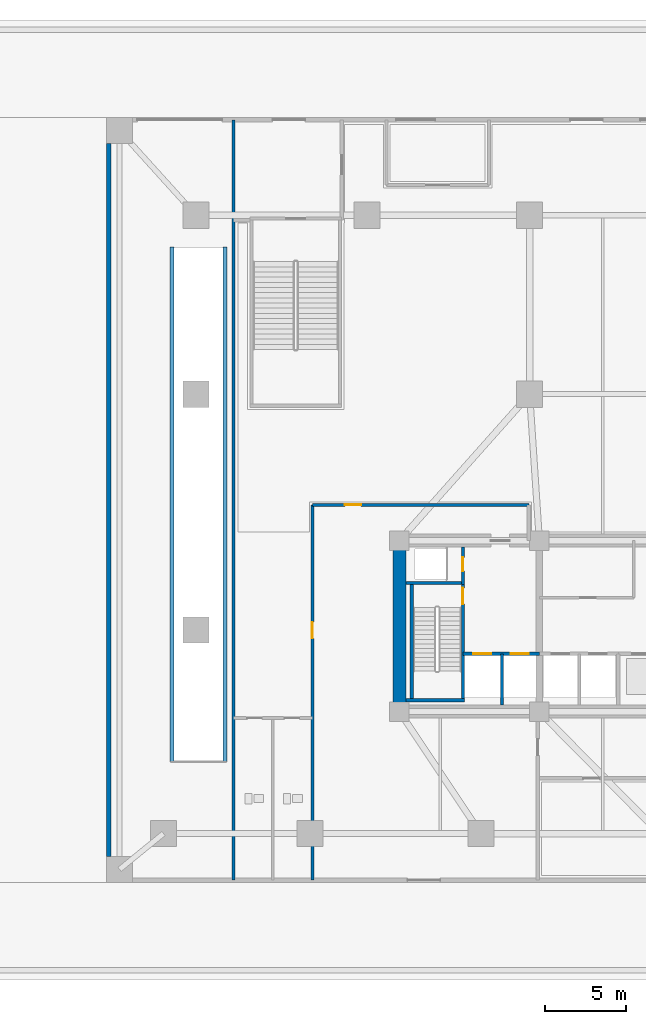
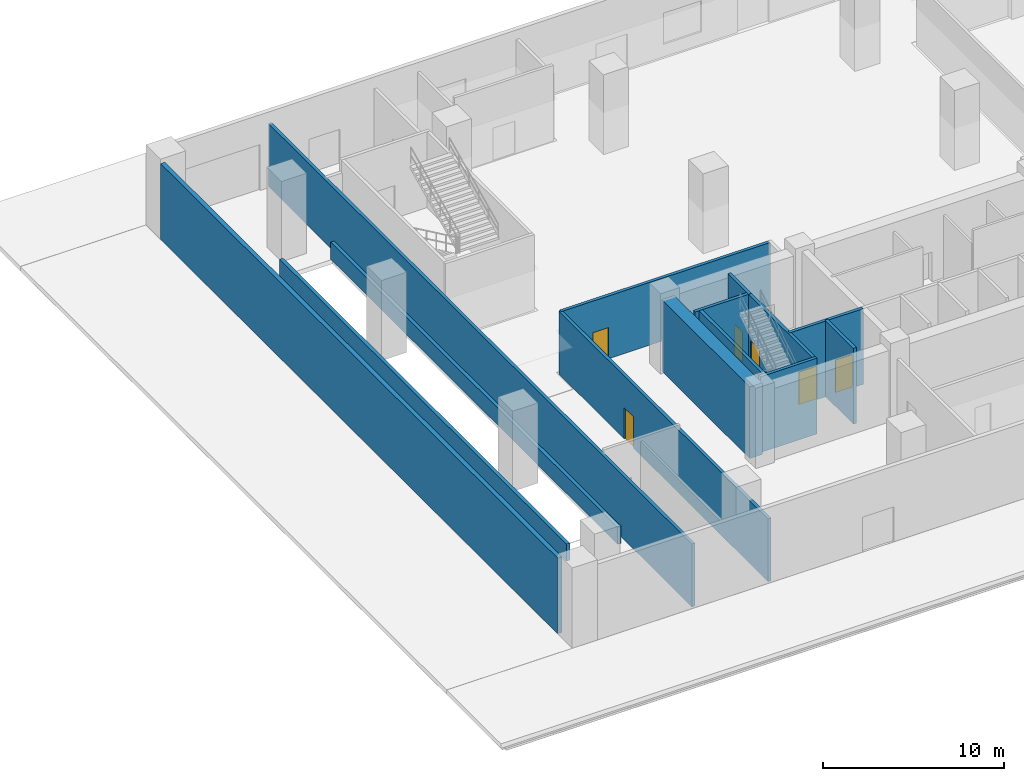
# One storey, part 4 of 15: 14 walls, 6 doors, 6 openings.
"""IFC4 building model written with IfcOpenShell, lengths in metres."""

from ifc_helpers import new_model, si_unit, direction, frame, frame_2d, origin, place, context, subcontext, project, spatial, rectangle, extrude, material, layer, layer_set, type_object, element, fill, save


model = new_model("IFC4")

# Units and contexts
model_context = context("Model", 3, precision=1e-05, world=origin(), true_north=direction((0.0, 1.0)))
body_context = subcontext(model_context, "Body", "Model", "MODEL_VIEW")
ifc_project = project(units=[si_unit("LENGTHUNIT", "METRE"), si_unit("AREAUNIT", "SQUARE_METRE"), si_unit("VOLUMEUNIT", "CUBIC_METRE"), si_unit("PLANEANGLEUNIT", "RADIAN"), si_unit("MASSUNIT", "GRAM", prefix="KILO")], contexts=[model_context])

# Site, building, storey
site_placement = place(None, origin())
site = spatial("IfcSite", under=ifc_project, at=site_placement, CompositionType="ELEMENT")
building_placement = place(site_placement, origin())
building = spatial("IfcBuilding", under=site, at=building_placement, Name="Solmavex Isthmus Hotel", CompositionType="ELEMENT")
storey_placement = place(building_placement, origin())
storey = spatial("IfcBuildingStorey", under=building, at=storey_placement, Name="L01", CompositionType="ELEMENT", Elevation=0.0)

# Walls
ifc_material_1 = material(Name="Precast Concrete C40/50", Category="concrete")
ifc_layer_1 = layer(ifc_material_1, 0.219970703125)
ifc_layer_set_1 = layer_set([ifc_layer_1], Name="Precast Concrete C40/50")
wall_type_1 = type_object("IfcWallType", Name="EW-PAR-220", PredefinedType="PARAPET", material=ifc_layer_set_1)
for number, where, z_axis, x_axis, name in (
    (1, (-29.97998046875, -16.10009765625, 0.0), (0.0, 0.0, 1.0), (0.0, 1.0, 0.0), "Vehicular Ramp Well West Parapet Wall L01"),
    (2, (-26.719970703125, -16.10009765625, 0.0), (0.0, 0.0, 1.0), (0.0, 1.0, 0.0), "Vehicular Ramp Well East Parapet Wall L01"),
):
    element("IfcWall", number, at=place(storey_placement, frame(where, z_axis=z_axis, x_axis=x_axis)), inside=storey, type_object=wall_type_1, Name=name, PredefinedType="PARAPET", context=body_context, shape_type="SweptSolid", body=[
        extrude(rectangle(XDim=31.650146484375, YDim=0.219970703125, at=frame_2d((15.8251953125, 0.0))), origin(), (0.0, 0.0, 1.0), 1.14990234375),
    ])
ifc_layer_2 = layer(ifc_material_1, 0.280029296875)
ifc_layer_set_2 = layer_set([ifc_layer_2], Name="Precast Concrete C40/50")
wall_type_2 = type_object("IfcWallType", Name="EW-POD-280", PredefinedType="STANDARD", material=ifc_layer_set_2)
wall_1_placement = place(storey_placement, frame((-33.860107421875, -21.89990234375, 0.0), z_axis=(0.0, 0.0, 1.0), x_axis=(0.0, 1.0, 0.0)))
element("IfcWall", 3, at=wall_1_placement, inside=storey, type_object=wall_type_2, Name="Podium Ground West Exterior Wall", PredefinedType="STANDARD", context=body_context, shape_type="SweptSolid", body=[
    extrude(rectangle(XDim=43.7998046875, YDim=0.280029296875, at=frame_2d((21.89990234375, 0.0))), origin(), (0.0, 0.0, 1.0), 5.10009765625),
])

# Wall, opening, door
ifc_material_2 = material(Name="Concrete C40/50", Category="concrete")
ifc_layer_3 = layer(ifc_material_2, 0.199951171875)
ifc_layer_set_3 = layer_set([ifc_layer_3], Name="Concrete C40/50")
wall_type_3 = type_object("IfcWallType", Name="IW-SHAFT-200", PredefinedType="PARTITIONING", material=ifc_layer_set_3)
wall_2_placement = place(storey_placement, frame((-12.10009765625, -5.199951171875, 0.0), z_axis=(0.0, 0.0, 1.0), x_axis=(0.0, 1.0, 0.0)))
wall_2 = element("IfcWall", 4, at=wall_2_placement, inside=storey, type_object=wall_type_3, Name="Interior Partition Wall W-L01-RSW-E", PredefinedType="PARTITIONING", context=body_context, shape_type="SweptSolid", body=[
    extrude(rectangle(XDim=2.300048828125, YDim=0.199951171875, at=frame_2d((1.14990234375, 0.0))), origin(), (0.0, 0.0, 1.0), 5.10009765625),
])
opening_1_placement = place(wall_2_placement, frame((0.824951171875, 0.0, 0.0)))
opening_1 = element("IfcOpeningElement", 5, at=opening_1_placement, cuts=wall_2, Name="Opening ID-R085", PredefinedType="OPENING", context=body_context, shape_type="SweptSolid", body=[
    extrude(rectangle(XDim=0.85009765625, YDim=2.050048828125, at=frame_2d((0.425048828125, 1.02490234375))), frame((0.0, 0.10986328125, 0.0), z_axis=(0.0, -1.0, 0.0), x_axis=(1.0, 0.0, 0.0)), (0.0, 0.0, 1.0), 0.219970703125),
])
ifc_material_3 = material(Name="Steel ASTM A500 Grade C", Category="steel")
door_type_1 = type_object("IfcDoorType", Name="IDR-FD60-0850", OperationType="NOTDEFINED", PredefinedType="DOOR", material=ifc_material_3)
door_1_placement = place(opening_1_placement, origin())
door_1 = element("IfcDoor", 6, at=door_1_placement, inside=storey, type_object=door_type_1, Name="Electrical Riser Door L01", OperationType="SINGLE_SWING_RIGHT", OverallHeight=2.050048828125, OverallWidth=0.85009765625, PredefinedType="DOOR", context=body_context, shape_type="SweptSolid", body=[
    extrude(rectangle(XDim=0.85009765625, YDim=2.050048828125, at=frame_2d((0.425048828125, 1.02490234375))), frame((0.0, 0.02490234375, 0.0), z_axis=(0.0, -1.0, 0.0), x_axis=(1.0, 0.0, 0.0)), (0.0, 0.0, 1.0), 0.050048828125),
])
fill(opening_1, door_1)

# Wall, openings, doors
wall_3_placement = place(storey_placement, frame((-12.10009765625, -9.449951171875, 0.0), z_axis=(0.0, 0.0, 1.0), x_axis=(1.0, 0.0, 0.0)))
wall_3 = element("IfcWall", 7, at=wall_3_placement, inside=storey, type_object=wall_type_3, Name="Interior Partition Wall W-L01-FFLW-S", PredefinedType="PARTITIONING", context=body_context, shape_type="SweptSolid", body=[
    extrude(rectangle(XDim=4.7001953125, YDim=0.199951171875, at=frame_2d((2.35009765625, 0.0))), origin(), (0.0, 0.0, 1.0), 5.10009765625),
])
opening_2_placement = place(wall_3_placement, frame((0.64990234375, 0.0, 0.0)))
opening_2 = element("IfcOpeningElement", 8, at=opening_2_placement, cuts=wall_3, Name="Opening LD-FF", PredefinedType="OPENING", context=body_context, shape_type="SweptSolid", body=[
    extrude(rectangle(XDim=1.10009765625, YDim=2.199951171875, at=frame_2d((0.550048828125, 1.10009765625))), frame((0.0, 0.10986328125, 0.0), z_axis=(0.0, -1.0, 0.0), x_axis=(1.0, 0.0, 0.0)), (0.0, 0.0, 1.0), 0.219970703125),
])
opening_3_placement = place(wall_3_placement, frame((2.949951171875, 0.0, 0.0)))
opening_3 = element("IfcOpeningElement", 9, at=opening_3_placement, cuts=wall_3, Name="Opening LD-SV", PredefinedType="OPENING", context=body_context, shape_type="SweptSolid", body=[
    extrude(rectangle(XDim=1.10009765625, YDim=2.199951171875, at=frame_2d((0.550048828125, 1.10009765625))), frame((0.0, 0.10986328125, 0.0), z_axis=(0.0, -1.0, 0.0), x_axis=(1.0, 0.0, 0.0)), (0.0, 0.0, 1.0), 0.219970703125),
])
ifc_material_4 = material(Name="Stainless steel 316", Category="steel")
door_type_2 = type_object("IfcDoorType", Name="LDR-FF-1100", OperationType="NOTDEFINED", PredefinedType="DOOR", material=ifc_material_4)
door_2_placement = place(opening_2_placement, origin())
door_2 = element("IfcDoor", 10, at=door_2_placement, inside=storey, type_object=door_type_2, Name="Lift Landing Door FFL-1 L01", OperationType="SLIDING_TO_LEFT", OverallHeight=2.199951171875, OverallWidth=1.10009765625, PredefinedType="DOOR", context=body_context, shape_type="SweptSolid", body=[
    extrude(rectangle(XDim=1.10009765625, YDim=2.199951171875, at=frame_2d((0.550048828125, 1.10009765625))), frame((0.0, 0.02490234375, 0.0), z_axis=(0.0, -1.0, 0.0), x_axis=(1.0, 0.0, 0.0)), (0.0, 0.0, 1.0), 0.050048828125),
])
fill(opening_2, door_2)
door_type_3 = type_object("IfcDoorType", Name="LDR-SV-1100", OperationType="NOTDEFINED", PredefinedType="DOOR", material=ifc_material_4)
door_3_placement = place(opening_3_placement, origin())
door_3 = element("IfcDoor", 11, at=door_3_placement, inside=storey, type_object=door_type_3, Name="Lift Landing Door SVL-1 L01", OperationType="SLIDING_TO_RIGHT", OverallHeight=2.199951171875, OverallWidth=1.10009765625, PredefinedType="DOOR", context=body_context, shape_type="SweptSolid", body=[
    extrude(rectangle(XDim=1.10009765625, YDim=2.199951171875, at=frame_2d((0.550048828125, 1.10009765625))), frame((0.0, 0.02490234375, 0.0), z_axis=(0.0, -1.0, 0.0), x_axis=(1.0, 0.0, 0.0)), (0.0, 0.0, 1.0), 0.050048828125),
])
fill(opening_3, door_3)

# Wall
wall_4_placement = place(storey_placement, frame((-9.699951171875, -12.60009765625, 0.0), z_axis=(0.0, 0.0, 1.0), x_axis=(0.0, 1.0, 0.0)))
element("IfcWall", 12, at=wall_4_placement, inside=storey, type_object=wall_type_3, Name="Interior Partition Wall W-L01-FFLW-M", PredefinedType="PARTITIONING", context=body_context, shape_type="SweptSolid", body=[
    extrude(rectangle(XDim=3.150146484375, YDim=0.199951171875, at=frame_2d((1.5751953125, 0.0))), origin(), (0.0, 0.0, 1.0), 5.10009765625),
])

# Wall, opening, door
wall_5_placement = place(storey_placement, frame((-21.35009765625, -23.360107421875, 0.0), z_axis=(0.0, 0.0, 1.0), x_axis=(0.0, 1.0, 0.0)))
wall_5 = element("IfcWall", 13, at=wall_5_placement, inside=storey, type_object=wall_type_3, Name="Interior Partition Wall W-L01-EXPW-W", PredefinedType="PARTITIONING", context=body_context, shape_type="SweptSolid", body=[
    extrude(rectangle(XDim=23.06005859375, YDim=0.199951171875, at=frame_2d((11.530029296875, 0.0))), origin(), (0.0, 0.0, 1.0), 4.2294921875),
])
opening_4_placement = place(wall_5_placement, frame((14.860107421875, 0.0, 0.0)))
opening_4 = element("IfcOpeningElement", 14, at=opening_4_placement, cuts=wall_5, Name="Opening ID-F100", PredefinedType="OPENING", context=body_context, shape_type="SweptSolid", body=[
    extrude(rectangle(XDim=1.0, YDim=2.10009765625, at=frame_2d((0.5, 1.050048828125))), frame((0.0, 0.10986328125, 0.0), z_axis=(0.0, -1.0, 0.0), x_axis=(1.0, 0.0, 0.0)), (0.0, 0.0, 1.0), 0.219970703125),
])
door_type_4 = type_object("IfcDoorType", Name="IDR-FD90-1000", OperationType="NOTDEFINED", PredefinedType="DOOR", material=ifc_material_3)
door_4_placement = place(opening_4_placement, origin())
door_4 = element("IfcDoor", 15, at=door_4_placement, inside=storey, type_object=door_type_4, Name="West Service Corridor Exit Door", OperationType="SINGLE_SWING_RIGHT", OverallHeight=2.10009765625, OverallWidth=1.0, PredefinedType="DOOR", context=body_context, shape_type="SweptSolid", body=[
    extrude(rectangle(XDim=1.0, YDim=2.10009765625, at=frame_2d((0.5, 1.050048828125))), frame((0.0, 0.02490234375, 0.0), z_axis=(0.0, -1.0, 0.0), x_axis=(1.0, 0.0, 0.0)), (0.0, 0.0, 1.0), 0.050048828125),
])
fill(opening_4, door_4)

wall_6_placement = place(storey_placement, frame((-21.35009765625, -0.300048828125, 0.0), z_axis=(0.0, 0.0, 1.0), x_axis=(1.0, 0.0, 0.0)))
wall_6 = element("IfcWall", 16, at=wall_6_placement, inside=storey, type_object=wall_type_3, Name="Interior Partition Wall W-L01-EXPW-N", PredefinedType="PARTITIONING", context=body_context, shape_type="SweptSolid", body=[
    extrude(rectangle(XDim=13.300048828125, YDim=0.199951171875, at=frame_2d((6.64990234375, 0.0))), origin(), (0.0, 0.0, 1.0), 4.2294921875),
])
opening_5_placement = place(wall_6_placement, frame((2.0, 0.0, 0.0)))
opening_5 = element("IfcOpeningElement", 17, at=opening_5_placement, cuts=wall_6, Name="Opening ID-F100", PredefinedType="OPENING", context=body_context, shape_type="SweptSolid", body=[
    extrude(rectangle(XDim=1.0, YDim=2.10009765625, at=frame_2d((0.5, 1.050048828125))), frame((0.0, 0.10986328125, 0.0), z_axis=(0.0, -1.0, 0.0), x_axis=(1.0, 0.0, 0.0)), (0.0, 0.0, 1.0), 0.219970703125),
])
door_5_placement = place(opening_5_placement, frame((1.0, 0.0, 0.0), z_axis=(0.0, 0.0, 1.0), x_axis=(-1.0, 0.0, 0.0)))
door_5 = element("IfcDoor", 18, at=door_5_placement, inside=storey, type_object=door_type_4, Name="West Exit Passageway Atrium Door L01", OperationType="SINGLE_SWING_LEFT", OverallHeight=2.10009765625, OverallWidth=1.0, PredefinedType="DOOR", context=body_context, shape_type="SweptSolid", body=[
    extrude(rectangle(XDim=1.0, YDim=2.10009765625, at=frame_2d((0.5, 1.050048828125))), frame((0.0, 0.02490234375, 0.0), z_axis=(0.0, -1.0, 0.0), x_axis=(1.0, 0.0, 0.0)), (0.0, 0.0, 1.0), 0.050048828125),
])
fill(opening_5, door_5)

# Walls
wall_7_placement = place(storey_placement, frame((-26.199951171875, -23.360107421875, 0.0), z_axis=(0.0, 0.0, 1.0), x_axis=(0.0, 1.0, 0.0)))
element("IfcWall", 19, at=wall_7_placement, inside=storey, type_object=wall_type_3, Name="Interior Partition Wall W-L01-WEST", PredefinedType="PARTITIONING", context=body_context, shape_type="SweptSolid", body=[
    extrude(rectangle(XDim=46.72021484375, YDim=0.199951171875, at=frame_2d((23.360107421875, 0.0))), origin(), (0.0, 0.0, 1.0), 4.2294921875),
])
ifc_material_5 = material(Name="Concrete C70/85", Category="concrete")
ifc_layer_4 = layer(ifc_material_5, 0.800048828125)
ifc_layer_set_4 = layer_set([ifc_layer_4], Name="Concrete C70/85")
wall_type_4 = type_object("IfcWallType", Name="WALL-CW-800", PredefinedType="SHEAR", material=ifc_layer_set_4)
wall_8_placement = place(storey_placement, frame((-16.0, -12.60009765625, 0.0), z_axis=(0.0, 0.0, 1.0), x_axis=(0.0, 1.0, 0.0)))
element("IfcWall", 20, at=wall_8_placement, inside=storey, type_object=wall_type_4, Name="Core Shear Wall West L01", PredefinedType="SHEAR", context=body_context, shape_type="SweptSolid", body=[
    extrude(rectangle(XDim=9.7001953125, YDim=0.800048828125, at=frame_2d((4.85009765625, 0.0))), origin(), (0.0, 0.0, 1.0), 4.820068359375),
])
ifc_layer_5 = layer(ifc_material_2, 0.199951171875)
ifc_layer_set_5 = layer_set([ifc_layer_5], Name="Concrete C40/50")
wall_type_5 = type_object("IfcWallType", Name="WALL-SW-200", PredefinedType="SOLIDWALL", material=ifc_layer_set_5)
for number, where, z_axis, x_axis, name in (
    (21, (-15.60009765625, -12.300048828125, 0.0), (0.0, 0.0, 1.0), (1.0, 0.0, 0.0), "Stairwell Structural Wall SW-L01-ST1-S"),
    (22, (-15.60009765625, -5.10009765625, 0.0), (0.0, 0.0, 1.0), (1.0, 0.0, 0.0), "Stairwell Structural Wall SW-L01-ST1-N"),
):
    element("IfcWall", number, at=place(storey_placement, frame(where, z_axis=z_axis, x_axis=x_axis)), inside=storey, type_object=wall_type_5, Name=name, PredefinedType="SOLIDWALL", context=body_context, shape_type="SweptSolid", body=[
        extrude(rectangle(XDim=3.60009765625, YDim=0.199951171875, at=frame_2d((1.800048828125, 0.0))), origin(), (0.0, 0.0, 1.0), 5.10009765625),
    ])
wall_9_placement = place(storey_placement, frame((-15.25, -12.199951171875, 0.0), z_axis=(0.0, 0.0, 1.0), x_axis=(0.0, 1.0, 0.0)))
element("IfcWall", 23, at=wall_9_placement, inside=storey, type_object=wall_type_5, Name="Stairwell Structural Wall SW-L01-ST1-W", PredefinedType="SOLIDWALL", context=body_context, shape_type="SweptSolid", body=[
    extrude(rectangle(XDim=7.0, YDim=0.199951171875, at=frame_2d((3.5, 0.0))), origin(), (0.0, 0.0, 1.0), 5.10009765625),
])

# Wall, opening, door
wall_10_placement = place(storey_placement, frame((-12.10009765625, -12.199951171875, 0.0), z_axis=(0.0, 0.0, 1.0), x_axis=(0.0, 1.0, 0.0)))
wall_10 = element("IfcWall", 24, at=wall_10_placement, inside=storey, type_object=wall_type_5, Name="Stairwell Structural Wall SW-L01-ST1-E", PredefinedType="SOLIDWALL", context=body_context, shape_type="SweptSolid", body=[
    extrude(rectangle(XDim=7.0, YDim=0.199951171875, at=frame_2d((3.5, 0.0))), origin(), (0.0, 0.0, 1.0), 5.10009765625),
])
opening_6_placement = place(wall_10_placement, frame((5.800048828125, 0.0, 0.0)))
opening_6 = element("IfcOpeningElement", 25, at=opening_6_placement, cuts=wall_10, Name="Opening ID-F100", PredefinedType="OPENING", context=body_context, shape_type="SweptSolid", body=[
    extrude(rectangle(XDim=1.0, YDim=2.10009765625, at=frame_2d((0.5, 1.050048828125))), frame((0.0, 0.10986328125, 0.0), z_axis=(0.0, -1.0, 0.0), x_axis=(1.0, 0.0, 0.0)), (0.0, 0.0, 1.0), 0.219970703125),
])
door_6_placement = place(opening_6_placement, frame((1.0, 0.0, 0.0), z_axis=(0.0, 0.0, 1.0), x_axis=(-1.0, 0.0, 0.0)))
door_6 = element("IfcDoor", 26, at=door_6_placement, inside=storey, type_object=door_type_4, Name="Stair ST-1 Fire Door L01", OperationType="SINGLE_SWING_LEFT", OverallHeight=2.10009765625, OverallWidth=1.0, PredefinedType="DOOR", context=body_context, shape_type="SweptSolid", body=[
    extrude(rectangle(XDim=1.0, YDim=2.10009765625, at=frame_2d((0.5, 1.050048828125))), frame((0.0, 0.02490234375, 0.0), z_axis=(0.0, -1.0, 0.0), x_axis=(1.0, 0.0, 0.0)), (0.0, 0.0, 1.0), 0.050048828125),
])
fill(opening_6, door_6)

save(model, "model.ifc")
